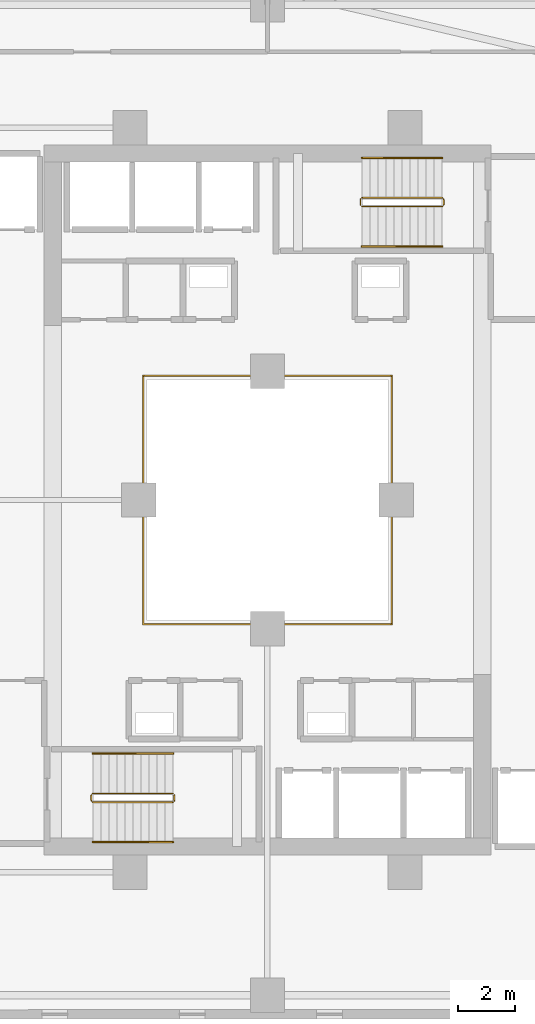
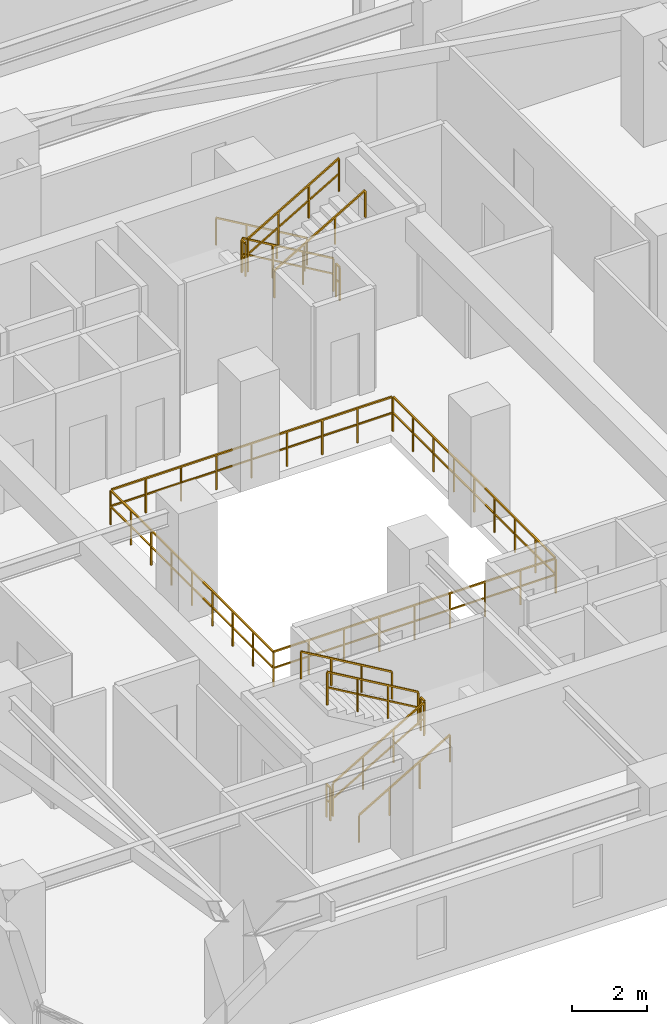
# One storey, part 26 of 29: 13 railings.
"""IFC4 building model written with IfcOpenShell, lengths in metres."""

from ifc_helpers import new_model, si_unit, direction, frame, origin, origin_2d, place, context, subcontext, project, spatial, rectangle, extrude, material, type_object, element, save


model = new_model("IFC4")

# Units and contexts
model_context = context("Model", 3, precision=1e-05, world=origin(), true_north=direction((0.0, 1.0)))
body_context = subcontext(model_context, "Body", "Model", "MODEL_VIEW")
ifc_project = project(units=[si_unit("LENGTHUNIT", "METRE"), si_unit("AREAUNIT", "SQUARE_METRE"), si_unit("VOLUMEUNIT", "CUBIC_METRE"), si_unit("PLANEANGLEUNIT", "RADIAN"), si_unit("MASSUNIT", "GRAM", prefix="KILO")], contexts=[model_context])

# Site, building, storey
site_placement = place(None, origin())
site = spatial("IfcSite", under=ifc_project, at=site_placement, CompositionType="ELEMENT")
building_placement = place(site_placement, origin())
building = spatial("IfcBuilding", under=site, at=building_placement, Name="Thornwick Lancets Civic Towers", CompositionType="ELEMENT")
storey_placement = place(building_placement, frame((0.0, 0.0, 83.699951171875)))
storey = spatial("IfcBuildingStorey", under=building, at=storey_placement, Name="L21", CompositionType="ELEMENT", Elevation=83.699951171875)

# Railings
ifc_material_1 = material(Name="Laminated glass and bronze steel S355", Category="steel")
railing_type_1 = type_object("IfcRailingType", Name="RAIL_ATRIUM_GUARD", PredefinedType="BALUSTRADE", material=ifc_material_1)
railing_1_placement = place(storey_placement, frame((21.159912109375, 22.659912109375, 0.0)))
element("IfcRailing", 1, at=railing_1_placement, inside=storey, type_object=railing_type_1, Name="L21 Tower A Central Atrium Guard Balustrade", PredefinedType="BALUSTRADE", context=body_context, shape_type="SweptSolid", body=[
    extrude(rectangle(XDim=0.048095703125, YDim=0.048095703125, at=origin_2d()), frame((0.0, 0.0, 1.1259765625), z_axis=(1.0, 0.0, 0.0), x_axis=(0.0, 1.0, 0.0)), (0.0, 0.0, 1.0), 8.64892578125),
    extrude(rectangle(XDim=0.0419921875, YDim=0.0419921875, at=origin_2d()), frame((0.03759765625, 0.0, 0.597900390625), z_axis=(1.0, 0.0, 0.0), x_axis=(0.0, 1.0, 0.0)), (0.0, 0.0, 1.0), 1.010009765625),
    extrude(rectangle(XDim=0.0419921875, YDim=0.0419921875, at=origin_2d()), frame((1.12255859375, 0.0, 0.597900390625), z_axis=(1.0, 0.0, 0.0), x_axis=(0.0, 1.0, 0.0)), (0.0, 0.0, 1.0), 1.010009765625),
    extrude(rectangle(XDim=0.0419921875, YDim=0.0419921875, at=origin_2d()), frame((2.20751953125, 0.0, 0.597900390625), z_axis=(1.0, 0.0, 0.0), x_axis=(0.0, 1.0, 0.0)), (0.0, 0.0, 1.0), 1.010009765625),
    extrude(rectangle(XDim=0.0419921875, YDim=0.0419921875, at=origin_2d()), frame((3.29248046875, 0.0, 0.597900390625), z_axis=(1.0, 0.0, 0.0), x_axis=(0.0, 1.0, 0.0)), (0.0, 0.0, 1.0), 1.010009765625),
    extrude(rectangle(XDim=0.0419921875, YDim=0.0419921875, at=origin_2d()), frame((4.377685546875, 0.0, 0.597900390625), z_axis=(1.0, 0.0, 0.0), x_axis=(0.0, 1.0, 0.0)), (0.0, 0.0, 1.0), 1.010009765625),
    extrude(rectangle(XDim=0.0419921875, YDim=0.0419921875, at=origin_2d()), frame((5.462646484375, 0.0, 0.597900390625), z_axis=(1.0, 0.0, 0.0), x_axis=(0.0, 1.0, 0.0)), (0.0, 0.0, 1.0), 1.010009765625),
    extrude(rectangle(XDim=0.0419921875, YDim=0.0419921875, at=origin_2d()), frame((6.547607421875, 0.0, 0.597900390625), z_axis=(1.0, 0.0, 0.0), x_axis=(0.0, 1.0, 0.0)), (0.0, 0.0, 1.0), 1.010009765625),
    extrude(rectangle(XDim=0.0419921875, YDim=0.0419921875, at=origin_2d()), frame((7.632568359375, 0.0, 0.597900390625), z_axis=(1.0, 0.0, 0.0), x_axis=(0.0, 1.0, 0.0)), (0.0, 0.0, 1.0), 1.010009765625),
    extrude(rectangle(XDim=0.048095703125, YDim=0.048095703125, at=origin_2d()), frame((8.68017578125, 0.03125, 1.1259765625), z_axis=(0.0, 1.0, 0.0), x_axis=(-1.0, 0.0, 0.0)), (0.0, 0.0, 1.0), 8.61767578125),
    extrude(rectangle(XDim=0.0419921875, YDim=0.0419921875, at=origin_2d()), frame((8.68017578125, 0.03759765625, 0.597900390625), z_axis=(0.0, 1.0, 0.0), x_axis=(-1.0, 0.0, 0.0)), (0.0, 0.0, 1.0), 1.010009765625),
    extrude(rectangle(XDim=0.0419921875, YDim=0.0419921875, at=origin_2d()), frame((8.68017578125, 1.12255859375, 0.597900390625), z_axis=(0.0, 1.0, 0.0), x_axis=(-1.0, 0.0, 0.0)), (0.0, 0.0, 1.0), 1.010009765625),
    extrude(rectangle(XDim=0.0419921875, YDim=0.0419921875, at=origin_2d()), frame((8.68017578125, 2.20751953125, 0.597900390625), z_axis=(0.0, 1.0, 0.0), x_axis=(-1.0, 0.0, 0.0)), (0.0, 0.0, 1.0), 1.010009765625),
    extrude(rectangle(XDim=0.0419921875, YDim=0.0419921875, at=origin_2d()), frame((8.68017578125, 3.29248046875, 0.597900390625), z_axis=(0.0, 1.0, 0.0), x_axis=(-1.0, 0.0, 0.0)), (0.0, 0.0, 1.0), 1.010009765625),
    extrude(rectangle(XDim=0.0419921875, YDim=0.0419921875, at=origin_2d()), frame((8.68017578125, 4.377685546875, 0.597900390625), z_axis=(0.0, 1.0, 0.0), x_axis=(-1.0, 0.0, 0.0)), (0.0, 0.0, 1.0), 1.010009765625),
    extrude(rectangle(XDim=0.0419921875, YDim=0.0419921875, at=origin_2d()), frame((8.68017578125, 5.462646484375, 0.597900390625), z_axis=(0.0, 1.0, 0.0), x_axis=(-1.0, 0.0, 0.0)), (0.0, 0.0, 1.0), 1.010009765625),
    extrude(rectangle(XDim=0.0419921875, YDim=0.0419921875, at=origin_2d()), frame((8.68017578125, 6.547607421875, 0.597900390625), z_axis=(0.0, 1.0, 0.0), x_axis=(-1.0, 0.0, 0.0)), (0.0, 0.0, 1.0), 1.010009765625),
    extrude(rectangle(XDim=0.0419921875, YDim=0.0419921875, at=origin_2d()), frame((8.68017578125, 7.632568359375, 0.597900390625), z_axis=(0.0, 1.0, 0.0), x_axis=(-1.0, 0.0, 0.0)), (0.0, 0.0, 1.0), 1.010009765625),
    extrude(rectangle(XDim=0.048095703125, YDim=0.048095703125, at=origin_2d()), frame((8.64892578125, 8.68017578125, 1.1259765625), z_axis=(-1.0, 0.0, 0.0), x_axis=(0.0, -1.0, 0.0)), (0.0, 0.0, 1.0), 8.61767578125),
    extrude(rectangle(XDim=0.0419921875, YDim=0.0419921875, at=origin_2d()), frame((8.642578125, 8.68017578125, 0.597900390625), z_axis=(-1.0, 0.0, 0.0), x_axis=(0.0, -1.0, 0.0)), (0.0, 0.0, 1.0), 1.010009765625),
    extrude(rectangle(XDim=0.0419921875, YDim=0.0419921875, at=origin_2d()), frame((7.5576171875, 8.68017578125, 0.597900390625), z_axis=(-1.0, 0.0, 0.0), x_axis=(0.0, -1.0, 0.0)), (0.0, 0.0, 1.0), 1.010009765625),
    extrude(rectangle(XDim=0.0419921875, YDim=0.0419921875, at=origin_2d()), frame((6.47265625, 8.68017578125, 0.597900390625), z_axis=(-1.0, 0.0, 0.0), x_axis=(0.0, -1.0, 0.0)), (0.0, 0.0, 1.0), 1.010009765625),
    extrude(rectangle(XDim=0.0419921875, YDim=0.0419921875, at=origin_2d()), frame((5.3876953125, 8.68017578125, 0.597900390625), z_axis=(-1.0, 0.0, 0.0), x_axis=(0.0, -1.0, 0.0)), (0.0, 0.0, 1.0), 1.010009765625),
    extrude(rectangle(XDim=0.0419921875, YDim=0.0419921875, at=origin_2d()), frame((4.302490234375, 8.68017578125, 0.597900390625), z_axis=(-1.0, 0.0, 0.0), x_axis=(0.0, -1.0, 0.0)), (0.0, 0.0, 1.0), 1.010009765625),
    extrude(rectangle(XDim=0.0419921875, YDim=0.0419921875, at=origin_2d()), frame((3.217529296875, 8.68017578125, 0.597900390625), z_axis=(-1.0, 0.0, 0.0), x_axis=(0.0, -1.0, 0.0)), (0.0, 0.0, 1.0), 1.010009765625),
    extrude(rectangle(XDim=0.0419921875, YDim=0.0419921875, at=origin_2d()), frame((2.132568359375, 8.68017578125, 0.597900390625), z_axis=(-1.0, 0.0, 0.0), x_axis=(0.0, -1.0, 0.0)), (0.0, 0.0, 1.0), 1.010009765625),
    extrude(rectangle(XDim=0.0419921875, YDim=0.0419921875, at=origin_2d()), frame((1.047607421875, 8.68017578125, 0.597900390625), z_axis=(-1.0, 0.0, 0.0), x_axis=(0.0, -1.0, 0.0)), (0.0, 0.0, 1.0), 1.010009765625),
    extrude(rectangle(XDim=0.048095703125, YDim=0.048095703125, at=origin_2d()), frame((0.0, 8.64892578125, 1.1259765625), z_axis=(0.0, -1.0, 0.0), x_axis=(1.0, 0.0, 0.0)), (0.0, 0.0, 1.0), 8.64892578125),
    extrude(rectangle(XDim=0.0419921875, YDim=0.0419921875, at=origin_2d()), frame((0.0, 8.642578125, 0.597900390625), z_axis=(0.0, -1.0, 0.0), x_axis=(1.0, 0.0, 0.0)), (0.0, 0.0, 1.0), 1.010009765625),
    extrude(rectangle(XDim=0.0419921875, YDim=0.0419921875, at=origin_2d()), frame((0.0, 7.5576171875, 0.597900390625), z_axis=(0.0, -1.0, 0.0), x_axis=(1.0, 0.0, 0.0)), (0.0, 0.0, 1.0), 1.010009765625),
    extrude(rectangle(XDim=0.0419921875, YDim=0.0419921875, at=origin_2d()), frame((0.0, 6.47265625, 0.597900390625), z_axis=(0.0, -1.0, 0.0), x_axis=(1.0, 0.0, 0.0)), (0.0, 0.0, 1.0), 1.010009765625),
    extrude(rectangle(XDim=0.0419921875, YDim=0.0419921875, at=origin_2d()), frame((0.0, 5.3876953125, 0.597900390625), z_axis=(0.0, -1.0, 0.0), x_axis=(1.0, 0.0, 0.0)), (0.0, 0.0, 1.0), 1.010009765625),
    extrude(rectangle(XDim=0.0419921875, YDim=0.0419921875, at=origin_2d()), frame((0.0, 4.302490234375, 0.597900390625), z_axis=(0.0, -1.0, 0.0), x_axis=(1.0, 0.0, 0.0)), (0.0, 0.0, 1.0), 1.010009765625),
    extrude(rectangle(XDim=0.0419921875, YDim=0.0419921875, at=origin_2d()), frame((0.0, 3.217529296875, 0.597900390625), z_axis=(0.0, -1.0, 0.0), x_axis=(1.0, 0.0, 0.0)), (0.0, 0.0, 1.0), 1.010009765625),
    extrude(rectangle(XDim=0.0419921875, YDim=0.0419921875, at=origin_2d()), frame((0.0, 2.132568359375, 0.597900390625), z_axis=(0.0, -1.0, 0.0), x_axis=(1.0, 0.0, 0.0)), (0.0, 0.0, 1.0), 1.010009765625),
    extrude(rectangle(XDim=0.0419921875, YDim=0.0419921875, at=origin_2d()), frame((0.0, 1.047607421875, 0.597900390625), z_axis=(0.0, -1.0, 0.0), x_axis=(1.0, 0.0, 0.0)), (0.0, 0.0, 1.0), 1.010009765625),
    extrude(rectangle(XDim=0.0419921875, YDim=0.0419921875, at=origin_2d()), origin(), (0.0, 0.0, 1.0), 1.095703125),
    extrude(rectangle(XDim=0.0419921875, YDim=0.0419921875, at=origin_2d()), frame((1.0849609375, 0.0, 0.0)), (0.0, 0.0, 1.0), 1.095703125),
    extrude(rectangle(XDim=0.0419921875, YDim=0.0419921875, at=origin_2d()), frame((2.169921875, 0.0, 0.0)), (0.0, 0.0, 1.0), 1.095703125),
    extrude(rectangle(XDim=0.0419921875, YDim=0.0419921875, at=origin_2d()), frame((3.255126953125, 0.0, 0.0)), (0.0, 0.0, 1.0), 1.095703125),
    extrude(rectangle(XDim=0.0419921875, YDim=0.0419921875, at=origin_2d()), frame((4.340087890625, 0.0, 0.0)), (0.0, 0.0, 1.0), 1.095703125),
    extrude(rectangle(XDim=0.0419921875, YDim=0.0419921875, at=origin_2d()), frame((5.425048828125, 0.0, 0.0)), (0.0, 0.0, 1.0), 1.095703125),
    extrude(rectangle(XDim=0.0419921875, YDim=0.0419921875, at=origin_2d()), frame((6.51025390625, 0.0, 0.0)), (0.0, 0.0, 1.0), 1.095703125),
    extrude(rectangle(XDim=0.0419921875, YDim=0.0419921875, at=origin_2d()), frame((7.59521484375, 0.0, 0.0)), (0.0, 0.0, 1.0), 1.095703125),
    extrude(rectangle(XDim=0.0419921875, YDim=0.0419921875, at=origin_2d()), frame((8.68017578125, 0.0, 0.0)), (0.0, 0.0, 1.0), 1.095703125),
    extrude(rectangle(XDim=0.0419921875, YDim=0.0419921875, at=origin_2d()), frame((8.68017578125, 1.0849609375, 0.0)), (0.0, 0.0, 1.0), 1.095703125),
    extrude(rectangle(XDim=0.0419921875, YDim=0.0419921875, at=origin_2d()), frame((8.68017578125, 2.169921875, 0.0)), (0.0, 0.0, 1.0), 1.095703125),
    extrude(rectangle(XDim=0.0419921875, YDim=0.0419921875, at=origin_2d()), frame((8.68017578125, 3.255126953125, 0.0)), (0.0, 0.0, 1.0), 1.095703125),
    extrude(rectangle(XDim=0.0419921875, YDim=0.0419921875, at=origin_2d()), frame((8.68017578125, 4.340087890625, 0.0)), (0.0, 0.0, 1.0), 1.095703125),
    extrude(rectangle(XDim=0.0419921875, YDim=0.0419921875, at=origin_2d()), frame((8.68017578125, 5.425048828125, 0.0)), (0.0, 0.0, 1.0), 1.095703125),
    extrude(rectangle(XDim=0.0419921875, YDim=0.0419921875, at=origin_2d()), frame((8.68017578125, 6.51025390625, 0.0)), (0.0, 0.0, 1.0), 1.095703125),
    extrude(rectangle(XDim=0.0419921875, YDim=0.0419921875, at=origin_2d()), frame((8.68017578125, 7.59521484375, 0.0)), (0.0, 0.0, 1.0), 1.095703125),
    extrude(rectangle(XDim=0.0419921875, YDim=0.0419921875, at=origin_2d()), frame((8.68017578125, 8.68017578125, 0.0)), (0.0, 0.0, 1.0), 1.095703125),
    extrude(rectangle(XDim=0.0419921875, YDim=0.0419921875, at=origin_2d()), frame((7.59521484375, 8.68017578125, 0.0)), (0.0, 0.0, 1.0), 1.095703125),
    extrude(rectangle(XDim=0.0419921875, YDim=0.0419921875, at=origin_2d()), frame((6.51025390625, 8.68017578125, 0.0)), (0.0, 0.0, 1.0), 1.095703125),
    extrude(rectangle(XDim=0.0419921875, YDim=0.0419921875, at=origin_2d()), frame((5.425048828125, 8.68017578125, 0.0)), (0.0, 0.0, 1.0), 1.095703125),
    extrude(rectangle(XDim=0.0419921875, YDim=0.0419921875, at=origin_2d()), frame((4.340087890625, 8.68017578125, 0.0)), (0.0, 0.0, 1.0), 1.095703125),
    extrude(rectangle(XDim=0.0419921875, YDim=0.0419921875, at=origin_2d()), frame((3.255126953125, 8.68017578125, 0.0)), (0.0, 0.0, 1.0), 1.095703125),
    extrude(rectangle(XDim=0.0419921875, YDim=0.0419921875, at=origin_2d()), frame((2.169921875, 8.68017578125, 0.0)), (0.0, 0.0, 1.0), 1.095703125),
    extrude(rectangle(XDim=0.0419921875, YDim=0.0419921875, at=origin_2d()), frame((1.0849609375, 8.68017578125, 0.0)), (0.0, 0.0, 1.0), 1.095703125),
    extrude(rectangle(XDim=0.0419921875, YDim=0.0419921875, at=origin_2d()), frame((0.0, 8.68017578125, 0.0)), (0.0, 0.0, 1.0), 1.095703125),
    extrude(rectangle(XDim=0.0419921875, YDim=0.0419921875, at=origin_2d()), frame((0.0, 7.59521484375, 0.0)), (0.0, 0.0, 1.0), 1.095703125),
    extrude(rectangle(XDim=0.0419921875, YDim=0.0419921875, at=origin_2d()), frame((0.0, 6.51025390625, 0.0)), (0.0, 0.0, 1.0), 1.095703125),
    extrude(rectangle(XDim=0.0419921875, YDim=0.0419921875, at=origin_2d()), frame((0.0, 5.425048828125, 0.0)), (0.0, 0.0, 1.0), 1.095703125),
    extrude(rectangle(XDim=0.0419921875, YDim=0.0419921875, at=origin_2d()), frame((0.0, 4.340087890625, 0.0)), (0.0, 0.0, 1.0), 1.095703125),
    extrude(rectangle(XDim=0.0419921875, YDim=0.0419921875, at=origin_2d()), frame((0.0, 3.255126953125, 0.0)), (0.0, 0.0, 1.0), 1.095703125),
    extrude(rectangle(XDim=0.0419921875, YDim=0.0419921875, at=origin_2d()), frame((0.0, 2.169921875, 0.0)), (0.0, 0.0, 1.0), 1.095703125),
    extrude(rectangle(XDim=0.0419921875, YDim=0.0419921875, at=origin_2d()), frame((0.0, 1.0849609375, 0.0)), (0.0, 0.0, 1.0), 1.095703125),
])
ifc_material_2 = material(Name="Brushed stainless steel S355", Category="steel")
railing_type_2 = type_object("IfcRailingType", Name="RAIL_HANDRAIL", PredefinedType="HANDRAIL", material=ifc_material_2)
railing_2_placement = place(storey_placement, frame((19.39990234375, 15.050048828125, 0.16357421875)))
element("IfcRailing", 2, at=railing_2_placement, inside=storey, type_object=railing_type_2, Name="L21 ST-A1 stair handrail 1", PredefinedType="HANDRAIL", context=body_context, shape_type="SweptSolid", body=[
    extrude(rectangle(XDim=0.048095703125, YDim=0.048095703125, at=origin_2d()), frame((0.0, 0.0, 0.8857421875), z_axis=(0.863360870873, 0.0, 0.504586966384), x_axis=(0.0, 1.0, 0.0)), (0.0, 0.0, 1.0), 3.2431640625),
    extrude(rectangle(XDim=0.0419921875, YDim=0.0419921875, at=origin_2d()), origin(), (0.0, 0.0, 1.0), 0.855712890625),
    extrude(rectangle(XDim=0.0419921875, YDim=0.0419921875, at=origin_2d()), frame((0.933349609375, 0.0, 0.54541015625)), (0.0, 0.0, 1.0), 0.855712890625),
    extrude(rectangle(XDim=0.0419921875, YDim=0.0419921875, at=origin_2d()), frame((1.86669921875, 0.0, 1.091064453125)), (0.0, 0.0, 1.0), 0.855712890625),
    extrude(rectangle(XDim=0.0419921875, YDim=0.0419921875, at=origin_2d()), frame((2.800048828125, 0.0, 1.636474609375)), (0.0, 0.0, 1.0), 0.855712890625),
])
for number, where, name in (
    (3, (22.199951171875, 18.14990234375, 1.963623046875), "L21 ST-A1 stair handrail 2"),
    (4, (31.60009765625, 38.949951171875, 0.16357421875), "L21 ST-A2 stair handrail 1"),
):
    element("IfcRailing", number, at=place(storey_placement, frame(where)), inside=storey, type_object=railing_type_2, Name=name, PredefinedType="HANDRAIL", context=body_context, shape_type="SweptSolid", body=[
        extrude(rectangle(XDim=0.048095703125, YDim=0.048095703125, at=origin_2d()), frame((0.0, 0.0, 0.8857421875), z_axis=(-0.863360870873, 0.0, 0.504586966384), x_axis=(0.0, -1.0, 0.0)), (0.0, 0.0, 1.0), 3.2431640625),
        extrude(rectangle(XDim=0.0419921875, YDim=0.0419921875, at=origin_2d()), origin(), (0.0, 0.0, 1.0), 0.855712890625),
        extrude(rectangle(XDim=0.0419921875, YDim=0.0419921875, at=origin_2d()), frame((-0.933349609375, 0.0, 0.54541015625)), (0.0, 0.0, 1.0), 0.855712890625),
        extrude(rectangle(XDim=0.0419921875, YDim=0.0419921875, at=origin_2d()), frame((-1.86669921875, 0.0, 1.091064453125)), (0.0, 0.0, 1.0), 0.855712890625),
        extrude(rectangle(XDim=0.0419921875, YDim=0.0419921875, at=origin_2d()), frame((-2.800048828125, 0.0, 1.636474609375)), (0.0, 0.0, 1.0), 0.855712890625),
    ])
railing_3_placement = place(storey_placement, frame((28.800048828125, 35.85009765625, 1.963623046875)))
element("IfcRailing", 5, at=railing_3_placement, inside=storey, type_object=railing_type_2, Name="L21 ST-A2 stair handrail 2", PredefinedType="HANDRAIL", context=body_context, shape_type="SweptSolid", body=[
    extrude(rectangle(XDim=0.048095703125, YDim=0.048095703125, at=origin_2d()), frame((0.0, 0.0, 0.8857421875), z_axis=(0.863360870873, 0.0, 0.504586966384), x_axis=(0.0, 1.0, 0.0)), (0.0, 0.0, 1.0), 3.2431640625),
    extrude(rectangle(XDim=0.0419921875, YDim=0.0419921875, at=origin_2d()), origin(), (0.0, 0.0, 1.0), 0.855712890625),
    extrude(rectangle(XDim=0.0419921875, YDim=0.0419921875, at=origin_2d()), frame((0.933349609375, 0.0, 0.54541015625)), (0.0, 0.0, 1.0), 0.855712890625),
    extrude(rectangle(XDim=0.0419921875, YDim=0.0419921875, at=origin_2d()), frame((1.86669921875, 0.0, 1.091064453125)), (0.0, 0.0, 1.0), 0.855712890625),
    extrude(rectangle(XDim=0.0419921875, YDim=0.0419921875, at=origin_2d()), frame((2.800048828125, 0.0, 1.636474609375)), (0.0, 0.0, 1.0), 0.855712890625),
])
ifc_material_3 = material(Name="Steel S355JR", Category="steel")
railing_type_3 = type_object("IfcRailingType", Name="RAIL_STAIR_GUARD", PredefinedType="GUARDRAIL", material=ifc_material_3)
railing_4_placement = place(storey_placement, frame((19.39990234375, 16.449951171875, 0.16357421875)))
element("IfcRailing", 6, at=railing_4_placement, inside=storey, type_object=railing_type_3, Name="L21 ST-A1 stair guard 1", PredefinedType="GUARDRAIL", context=body_context, shape_type="SweptSolid", body=[
    extrude(rectangle(XDim=0.048095703125, YDim=0.048095703125, at=origin_2d()), frame((0.0, 0.0, 1.076171875), z_axis=(0.863360870873, 0.0, 0.504586966384), x_axis=(0.0, 1.0, 0.0)), (0.0, 0.0, 1.0), 3.2431640625),
    extrude(rectangle(XDim=0.0419921875, YDim=0.0419921875, at=origin_2d()), frame((0.032470703125, 0.0, 0.591064453125), z_axis=(0.863360870873, 0.0, 0.504586966384), x_axis=(0.0, 1.0, 0.0)), (0.0, 0.0, 1.0), 1.006103515625),
    extrude(rectangle(XDim=0.0419921875, YDim=0.0419921875, at=origin_2d()), frame((0.9658203125, 0.0, 1.136474609375), z_axis=(0.863360870873, 0.0, 0.504586966384), x_axis=(0.0, 1.0, 0.0)), (0.0, 0.0, 1.0), 1.006103515625),
    extrude(rectangle(XDim=0.0419921875, YDim=0.0419921875, at=origin_2d()), frame((1.899169921875, 0.0, 1.681884765625), z_axis=(0.863360870873, 0.0, 0.504586966384), x_axis=(0.0, 1.0, 0.0)), (0.0, 0.0, 1.0), 1.006103515625),
    extrude(rectangle(XDim=0.0419921875, YDim=0.0419921875, at=origin_2d()), origin(), (0.0, 0.0, 1.0), 1.0458984375),
    extrude(rectangle(XDim=0.0419921875, YDim=0.0419921875, at=origin_2d()), frame((0.933349609375, 0.0, 0.54541015625)), (0.0, 0.0, 1.0), 1.0458984375),
    extrude(rectangle(XDim=0.0419921875, YDim=0.0419921875, at=origin_2d()), frame((1.86669921875, 0.0, 1.091064453125)), (0.0, 0.0, 1.0), 1.0458984375),
    extrude(rectangle(XDim=0.0419921875, YDim=0.0419921875, at=origin_2d()), frame((2.800048828125, 0.0, 1.636474609375)), (0.0, 0.0, 1.0), 1.0458984375),
])
railing_5_placement = place(storey_placement, frame((22.25, 16.5, 1.800048828125)))
element("IfcRailing", 7, at=railing_5_placement, inside=storey, type_object=railing_type_3, Name="L21 ST-A1 stair guard 2", PredefinedType="GUARDRAIL", context=body_context, shape_type="SweptSolid", body=[
    extrude(rectangle(XDim=0.048095703125, YDim=0.048095703125, at=origin_2d()), frame((0.0, 0.0, 1.076171875), z_axis=(0.0, 1.0, 0.0), x_axis=(-1.0, 0.0, 0.0)), (0.0, 0.0, 1.0), 0.199951171875),
    extrude(rectangle(XDim=0.0419921875, YDim=0.0419921875, at=origin_2d()), frame((0.0, 0.03759765625, 0.572021484375), z_axis=(0.0, 1.0, 0.0), x_axis=(-1.0, 0.0, 0.0)), (0.0, 0.0, 1.0), 0.125),
    extrude(rectangle(XDim=0.0419921875, YDim=0.0419921875, at=origin_2d()), origin(), (0.0, 0.0, 1.0), 1.0458984375),
    extrude(rectangle(XDim=0.0419921875, YDim=0.0419921875, at=origin_2d()), frame((0.0, 0.199951171875, 0.0)), (0.0, 0.0, 1.0), 1.0458984375),
])
railing_6_placement = place(storey_placement, frame((22.199951171875, 16.75, 1.963623046875)))
element("IfcRailing", 8, at=railing_6_placement, inside=storey, type_object=railing_type_3, Name="L21 ST-A1 stair guard 3", PredefinedType="GUARDRAIL", context=body_context, shape_type="SweptSolid", body=[
    extrude(rectangle(XDim=0.048095703125, YDim=0.048095703125, at=origin_2d()), frame((0.0, 0.0, 1.076171875), z_axis=(-0.863360870873, 0.0, 0.504586966384), x_axis=(0.0, -1.0, 0.0)), (0.0, 0.0, 1.0), 3.2431640625),
    extrude(rectangle(XDim=0.0419921875, YDim=0.0419921875, at=origin_2d()), frame((-0.032470703125, 0.0, 0.591064453125), z_axis=(-0.863360870873, 0.0, 0.504586966384), x_axis=(0.0, -1.0, 0.0)), (0.0, 0.0, 1.0), 1.006103515625),
    extrude(rectangle(XDim=0.0419921875, YDim=0.0419921875, at=origin_2d()), frame((-0.9658203125, 0.0, 1.136474609375), z_axis=(-0.863360870873, 0.0, 0.504586966384), x_axis=(0.0, -1.0, 0.0)), (0.0, 0.0, 1.0), 1.006103515625),
    extrude(rectangle(XDim=0.0419921875, YDim=0.0419921875, at=origin_2d()), frame((-1.899169921875, 0.0, 1.681884765625), z_axis=(-0.863360870873, 0.0, 0.504586966384), x_axis=(0.0, -1.0, 0.0)), (0.0, 0.0, 1.0), 1.006103515625),
    extrude(rectangle(XDim=0.0419921875, YDim=0.0419921875, at=origin_2d()), origin(), (0.0, 0.0, 1.0), 1.0458984375),
    extrude(rectangle(XDim=0.0419921875, YDim=0.0419921875, at=origin_2d()), frame((-0.933349609375, 0.0, 0.54541015625)), (0.0, 0.0, 1.0), 1.0458984375),
    extrude(rectangle(XDim=0.0419921875, YDim=0.0419921875, at=origin_2d()), frame((-1.86669921875, 0.0, 1.091064453125)), (0.0, 0.0, 1.0), 1.0458984375),
    extrude(rectangle(XDim=0.0419921875, YDim=0.0419921875, at=origin_2d()), frame((-2.800048828125, 0.0, 1.636474609375)), (0.0, 0.0, 1.0), 1.0458984375),
])
railing_7_placement = place(storey_placement, frame((19.35009765625, 16.5, 0.0)))
element("IfcRailing", 9, at=railing_7_placement, inside=storey, type_object=railing_type_3, Name="L21 ST-A1 stair guard 4", PredefinedType="GUARDRAIL", context=body_context, shape_type="SweptSolid", body=[
    extrude(rectangle(XDim=0.048095703125, YDim=0.048095703125, at=origin_2d()), frame((0.0, 0.0, 1.076171875), z_axis=(0.0, 1.0, 0.0), x_axis=(-1.0, 0.0, 0.0)), (0.0, 0.0, 1.0), 0.199951171875),
    extrude(rectangle(XDim=0.0419921875, YDim=0.0419921875, at=origin_2d()), frame((0.0, 0.03759765625, 0.572021484375), z_axis=(0.0, 1.0, 0.0), x_axis=(-1.0, 0.0, 0.0)), (0.0, 0.0, 1.0), 0.125),
    extrude(rectangle(XDim=0.0419921875, YDim=0.0419921875, at=origin_2d()), origin(), (0.0, 0.0, 1.0), 1.0458984375),
    extrude(rectangle(XDim=0.0419921875, YDim=0.0419921875, at=origin_2d()), frame((0.0, 0.199951171875, 0.0)), (0.0, 0.0, 1.0), 1.0458984375),
])
railing_8_placement = place(storey_placement, frame((31.60009765625, 37.550048828125, 0.16357421875)))
element("IfcRailing", 10, at=railing_8_placement, inside=storey, type_object=railing_type_3, Name="L21 ST-A2 stair guard 1", PredefinedType="GUARDRAIL", context=body_context, shape_type="SweptSolid", body=[
    extrude(rectangle(XDim=0.048095703125, YDim=0.048095703125, at=origin_2d()), frame((0.0, 0.0, 1.076171875), z_axis=(-0.863360870873, 0.0, 0.504586966384), x_axis=(0.0, -1.0, 0.0)), (0.0, 0.0, 1.0), 3.2431640625),
    extrude(rectangle(XDim=0.0419921875, YDim=0.0419921875, at=origin_2d()), frame((-0.032470703125, 0.0, 0.591064453125), z_axis=(-0.863360870873, 0.0, 0.504586966384), x_axis=(0.0, -1.0, 0.0)), (0.0, 0.0, 1.0), 1.006103515625),
    extrude(rectangle(XDim=0.0419921875, YDim=0.0419921875, at=origin_2d()), frame((-0.9658203125, 0.0, 1.136474609375), z_axis=(-0.863360870873, 0.0, 0.504586966384), x_axis=(0.0, -1.0, 0.0)), (0.0, 0.0, 1.0), 1.006103515625),
    extrude(rectangle(XDim=0.0419921875, YDim=0.0419921875, at=origin_2d()), frame((-1.899169921875, 0.0, 1.681884765625), z_axis=(-0.863360870873, 0.0, 0.504586966384), x_axis=(0.0, -1.0, 0.0)), (0.0, 0.0, 1.0), 1.006103515625),
    extrude(rectangle(XDim=0.0419921875, YDim=0.0419921875, at=origin_2d()), origin(), (0.0, 0.0, 1.0), 1.0458984375),
    extrude(rectangle(XDim=0.0419921875, YDim=0.0419921875, at=origin_2d()), frame((-0.933349609375, 0.0, 0.54541015625)), (0.0, 0.0, 1.0), 1.0458984375),
    extrude(rectangle(XDim=0.0419921875, YDim=0.0419921875, at=origin_2d()), frame((-1.86669921875, 0.0, 1.091064453125)), (0.0, 0.0, 1.0), 1.0458984375),
    extrude(rectangle(XDim=0.0419921875, YDim=0.0419921875, at=origin_2d()), frame((-2.800048828125, 0.0, 1.636474609375)), (0.0, 0.0, 1.0), 1.0458984375),
])
railing_9_placement = place(storey_placement, frame((28.75, 37.5, 1.800048828125)))
element("IfcRailing", 11, at=railing_9_placement, inside=storey, type_object=railing_type_3, Name="L21 ST-A2 stair guard 2", PredefinedType="GUARDRAIL", context=body_context, shape_type="SweptSolid", body=[
    extrude(rectangle(XDim=0.048095703125, YDim=0.048095703125, at=origin_2d()), frame((0.0, 0.0, 1.076171875), z_axis=(0.0, -1.0, 0.0), x_axis=(1.0, 0.0, 0.0)), (0.0, 0.0, 1.0), 0.199951171875),
    extrude(rectangle(XDim=0.0419921875, YDim=0.0419921875, at=origin_2d()), frame((0.0, -0.03759765625, 0.572021484375), z_axis=(0.0, -1.0, 0.0), x_axis=(1.0, 0.0, 0.0)), (0.0, 0.0, 1.0), 0.125),
    extrude(rectangle(XDim=0.0419921875, YDim=0.0419921875, at=origin_2d()), origin(), (0.0, 0.0, 1.0), 1.0458984375),
    extrude(rectangle(XDim=0.0419921875, YDim=0.0419921875, at=origin_2d()), frame((0.0, -0.199951171875, 0.0)), (0.0, 0.0, 1.0), 1.0458984375),
])
railing_10_placement = place(storey_placement, frame((28.800048828125, 37.25, 1.963623046875)))
element("IfcRailing", 12, at=railing_10_placement, inside=storey, type_object=railing_type_3, Name="L21 ST-A2 stair guard 3", PredefinedType="GUARDRAIL", context=body_context, shape_type="SweptSolid", body=[
    extrude(rectangle(XDim=0.048095703125, YDim=0.048095703125, at=origin_2d()), frame((0.0, 0.0, 1.076171875), z_axis=(0.863360870873, 0.0, 0.504586966384), x_axis=(0.0, 1.0, 0.0)), (0.0, 0.0, 1.0), 3.2431640625),
    extrude(rectangle(XDim=0.0419921875, YDim=0.0419921875, at=origin_2d()), frame((0.032470703125, 0.0, 0.591064453125), z_axis=(0.863360870873, 0.0, 0.504586966384), x_axis=(0.0, 1.0, 0.0)), (0.0, 0.0, 1.0), 1.006103515625),
    extrude(rectangle(XDim=0.0419921875, YDim=0.0419921875, at=origin_2d()), frame((0.9658203125, 0.0, 1.136474609375), z_axis=(0.863360870873, 0.0, 0.504586966384), x_axis=(0.0, 1.0, 0.0)), (0.0, 0.0, 1.0), 1.006103515625),
    extrude(rectangle(XDim=0.0419921875, YDim=0.0419921875, at=origin_2d()), frame((1.899169921875, 0.0, 1.681884765625), z_axis=(0.863360870873, 0.0, 0.504586966384), x_axis=(0.0, 1.0, 0.0)), (0.0, 0.0, 1.0), 1.006103515625),
    extrude(rectangle(XDim=0.0419921875, YDim=0.0419921875, at=origin_2d()), origin(), (0.0, 0.0, 1.0), 1.0458984375),
    extrude(rectangle(XDim=0.0419921875, YDim=0.0419921875, at=origin_2d()), frame((0.933349609375, 0.0, 0.54541015625)), (0.0, 0.0, 1.0), 1.0458984375),
    extrude(rectangle(XDim=0.0419921875, YDim=0.0419921875, at=origin_2d()), frame((1.86669921875, 0.0, 1.091064453125)), (0.0, 0.0, 1.0), 1.0458984375),
    extrude(rectangle(XDim=0.0419921875, YDim=0.0419921875, at=origin_2d()), frame((2.800048828125, 0.0, 1.636474609375)), (0.0, 0.0, 1.0), 1.0458984375),
])
railing_11_placement = place(storey_placement, frame((31.64990234375, 37.5, 0.0)))
element("IfcRailing", 13, at=railing_11_placement, inside=storey, type_object=railing_type_3, Name="L21 ST-A2 stair guard 4", PredefinedType="GUARDRAIL", context=body_context, shape_type="SweptSolid", body=[
    extrude(rectangle(XDim=0.048095703125, YDim=0.048095703125, at=origin_2d()), frame((0.0, 0.0, 1.076171875), z_axis=(0.0, -1.0, 0.0), x_axis=(1.0, 0.0, 0.0)), (0.0, 0.0, 1.0), 0.199951171875),
    extrude(rectangle(XDim=0.0419921875, YDim=0.0419921875, at=origin_2d()), frame((0.0, -0.03759765625, 0.572021484375), z_axis=(0.0, -1.0, 0.0), x_axis=(1.0, 0.0, 0.0)), (0.0, 0.0, 1.0), 0.125),
    extrude(rectangle(XDim=0.0419921875, YDim=0.0419921875, at=origin_2d()), origin(), (0.0, 0.0, 1.0), 1.0458984375),
    extrude(rectangle(XDim=0.0419921875, YDim=0.0419921875, at=origin_2d()), frame((0.0, -0.199951171875, 0.0)), (0.0, 0.0, 1.0), 1.0458984375),
])

save(model, "model.ifc")
